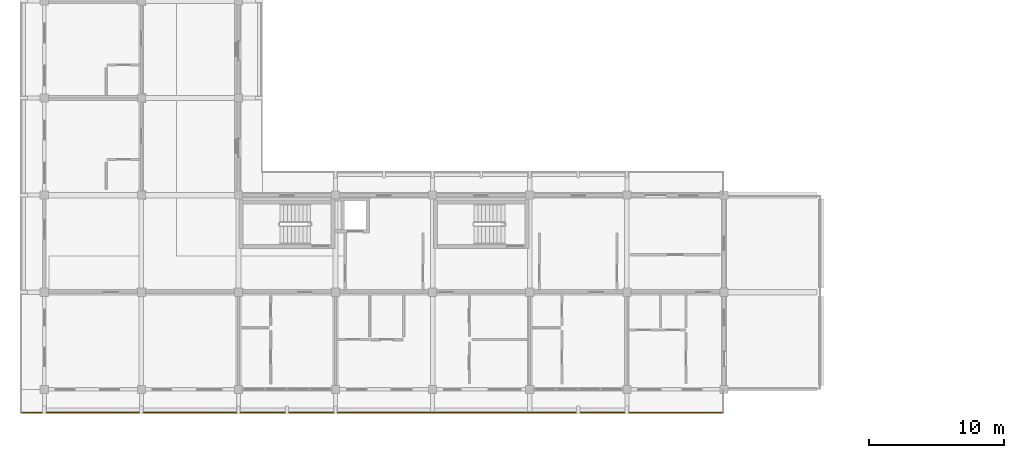
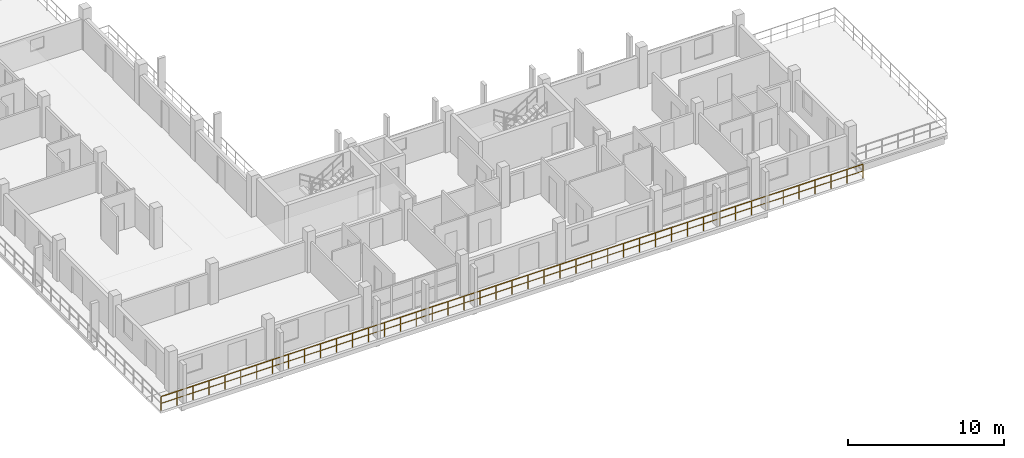
# One storey, part 63 of 78: 1 railing.
"""IFC4 building model written with IfcOpenShell, lengths in metres."""

from ifc_helpers import new_model, si_unit, direction, frame, origin, origin_2d, place, context, subcontext, project, spatial, rectangle, extrude, material, type_object, element, save


model = new_model("IFC4")

# Units and contexts
model_context = context("Model", 3, precision=1e-05, world=origin(), true_north=direction((0.0, 1.0)))
body_context = subcontext(model_context, "Body", "Model", "MODEL_VIEW")
ifc_project = project(units=[si_unit("LENGTHUNIT", "METRE"), si_unit("AREAUNIT", "SQUARE_METRE"), si_unit("VOLUMEUNIT", "CUBIC_METRE"), si_unit("PLANEANGLEUNIT", "RADIAN"), si_unit("MASSUNIT", "GRAM", prefix="KILO")], contexts=[model_context])

# Site, building, storey
site_placement = place(None, origin())
site = spatial("IfcSite", under=ifc_project, at=site_placement, CompositionType="ELEMENT")
building_placement = place(site_placement, origin())
building = spatial("IfcBuilding", under=site, at=building_placement, Name="Suanplinth Sawtooth Commons", CompositionType="ELEMENT")
storey_placement = place(building_placement, frame((0.0, 0.0, 15.39990234375)))
storey = spatial("IfcBuildingStorey", under=building, at=storey_placement, Name="L04", CompositionType="ELEMENT", Elevation=15.39990234375)

# Railing
ifc_material = material(Name="Powder-coated galvanized steel", Category="steel")
railing_type = type_object("IfcRailingType", Name="GR-01", PredefinedType="BALUSTRADE", material=ifc_material)
railing_placement = place(storey_placement, frame((50.340087890625, -1.739990234375, 0.0)))
element("IfcRailing", 1, at=railing_placement, inside=storey, type_object=railing_type, Name="L04 Block D Perimeter Balustrade 14", PredefinedType="BALUSTRADE", context=body_context, shape_type="SweptSolid", body=[
    extrude(rectangle(XDim=0.048095703125, YDim=0.048095703125, at=origin_2d()), frame((0.0, 0.0, 1.09619140625), z_axis=(-1.0, 0.0, 0.0), x_axis=(0.0, -1.0, 0.0)), (0.0, 0.0, 1.0), 52.080078125),
    extrude(rectangle(XDim=0.03369140625, YDim=0.03369140625, at=origin_2d()), frame((0.0, 0.0, 0.56005859375), z_axis=(-1.0, 0.0, 0.0), x_axis=(0.0, -1.0, 0.0)), (0.0, 0.0, 1.0), 52.080078125),
    extrude(rectangle(XDim=0.0419921875, YDim=0.0419921875, at=origin_2d()), origin(), (0.0, 0.0, 1.0), 1.072021484375),
    extrude(rectangle(XDim=0.0419921875, YDim=0.0419921875, at=origin_2d()), frame((-1.18359375, 0.0, 0.0)), (0.0, 0.0, 1.0), 1.072021484375),
    extrude(rectangle(XDim=0.0419921875, YDim=0.0419921875, at=origin_2d()), frame((-2.3671875, 0.0, 0.0)), (0.0, 0.0, 1.0), 1.072021484375),
    extrude(rectangle(XDim=0.0419921875, YDim=0.0419921875, at=origin_2d()), frame((-3.551025390625, 0.0, 0.0)), (0.0, 0.0, 1.0), 1.072021484375),
    extrude(rectangle(XDim=0.0419921875, YDim=0.0419921875, at=origin_2d()), frame((-4.734619140625, 0.0, 0.0)), (0.0, 0.0, 1.0), 1.072021484375),
    extrude(rectangle(XDim=0.0419921875, YDim=0.0419921875, at=origin_2d()), frame((-5.918212890625, 0.0, 0.0)), (0.0, 0.0, 1.0), 1.072021484375),
    extrude(rectangle(XDim=0.0419921875, YDim=0.0419921875, at=origin_2d()), frame((-7.101806640625, 0.0, 0.0)), (0.0, 0.0, 1.0), 1.072021484375),
    extrude(rectangle(XDim=0.0419921875, YDim=0.0419921875, at=origin_2d()), frame((-8.285400390625, 0.0, 0.0)), (0.0, 0.0, 1.0), 1.072021484375),
    extrude(rectangle(XDim=0.0419921875, YDim=0.0419921875, at=origin_2d()), frame((-9.468994140625, 0.0, 0.0)), (0.0, 0.0, 1.0), 1.072021484375),
    extrude(rectangle(XDim=0.0419921875, YDim=0.0419921875, at=origin_2d()), frame((-10.65283203125, 0.0, 0.0)), (0.0, 0.0, 1.0), 1.072021484375),
    extrude(rectangle(XDim=0.0419921875, YDim=0.0419921875, at=origin_2d()), frame((-11.83642578125, 0.0, 0.0)), (0.0, 0.0, 1.0), 1.072021484375),
    extrude(rectangle(XDim=0.0419921875, YDim=0.0419921875, at=origin_2d()), frame((-13.02001953125, 0.0, 0.0)), (0.0, 0.0, 1.0), 1.072021484375),
    extrude(rectangle(XDim=0.0419921875, YDim=0.0419921875, at=origin_2d()), frame((-14.20361328125, 0.0, 0.0)), (0.0, 0.0, 1.0), 1.072021484375),
    extrude(rectangle(XDim=0.0419921875, YDim=0.0419921875, at=origin_2d()), frame((-15.38720703125, 0.0, 0.0)), (0.0, 0.0, 1.0), 1.072021484375),
    extrude(rectangle(XDim=0.0419921875, YDim=0.0419921875, at=origin_2d()), frame((-16.571044921875, 0.0, 0.0)), (0.0, 0.0, 1.0), 1.072021484375),
    extrude(rectangle(XDim=0.0419921875, YDim=0.0419921875, at=origin_2d()), frame((-17.754638671875, 0.0, 0.0)), (0.0, 0.0, 1.0), 1.072021484375),
    extrude(rectangle(XDim=0.0419921875, YDim=0.0419921875, at=origin_2d()), frame((-18.938232421875, 0.0, 0.0)), (0.0, 0.0, 1.0), 1.072021484375),
    extrude(rectangle(XDim=0.0419921875, YDim=0.0419921875, at=origin_2d()), frame((-20.121826171875, 0.0, 0.0)), (0.0, 0.0, 1.0), 1.072021484375),
    extrude(rectangle(XDim=0.0419921875, YDim=0.0419921875, at=origin_2d()), frame((-21.305419921875, 0.0, 0.0)), (0.0, 0.0, 1.0), 1.072021484375),
    extrude(rectangle(XDim=0.0419921875, YDim=0.0419921875, at=origin_2d()), frame((-22.489013671875, 0.0, 0.0)), (0.0, 0.0, 1.0), 1.072021484375),
    extrude(rectangle(XDim=0.0419921875, YDim=0.0419921875, at=origin_2d()), frame((-23.6728515625, 0.0, 0.0)), (0.0, 0.0, 1.0), 1.072021484375),
    extrude(rectangle(XDim=0.0419921875, YDim=0.0419921875, at=origin_2d()), frame((-24.8564453125, 0.0, 0.0)), (0.0, 0.0, 1.0), 1.072021484375),
    extrude(rectangle(XDim=0.0419921875, YDim=0.0419921875, at=origin_2d()), frame((-26.0400390625, 0.0, 0.0)), (0.0, 0.0, 1.0), 1.072021484375),
    extrude(rectangle(XDim=0.0419921875, YDim=0.0419921875, at=origin_2d()), frame((-27.2236328125, 0.0, 0.0)), (0.0, 0.0, 1.0), 1.072021484375),
    extrude(rectangle(XDim=0.0419921875, YDim=0.0419921875, at=origin_2d()), frame((-28.4072265625, 0.0, 0.0)), (0.0, 0.0, 1.0), 1.072021484375),
    extrude(rectangle(XDim=0.0419921875, YDim=0.0419921875, at=origin_2d()), frame((-29.591064453125, 0.0, 0.0)), (0.0, 0.0, 1.0), 1.072021484375),
    extrude(rectangle(XDim=0.0419921875, YDim=0.0419921875, at=origin_2d()), frame((-30.774658203125, 0.0, 0.0)), (0.0, 0.0, 1.0), 1.072021484375),
    extrude(rectangle(XDim=0.0419921875, YDim=0.0419921875, at=origin_2d()), frame((-31.958251953125, 0.0, 0.0)), (0.0, 0.0, 1.0), 1.072021484375),
    extrude(rectangle(XDim=0.0419921875, YDim=0.0419921875, at=origin_2d()), frame((-33.141845703125, 0.0, 0.0)), (0.0, 0.0, 1.0), 1.072021484375),
    extrude(rectangle(XDim=0.0419921875, YDim=0.0419921875, at=origin_2d()), frame((-34.325439453125, 0.0, 0.0)), (0.0, 0.0, 1.0), 1.072021484375),
    extrude(rectangle(XDim=0.0419921875, YDim=0.0419921875, at=origin_2d()), frame((-35.509033203125, 0.0, 0.0)), (0.0, 0.0, 1.0), 1.072021484375),
    extrude(rectangle(XDim=0.0419921875, YDim=0.0419921875, at=origin_2d()), frame((-36.69287109375, 0.0, 0.0)), (0.0, 0.0, 1.0), 1.072021484375),
    extrude(rectangle(XDim=0.0419921875, YDim=0.0419921875, at=origin_2d()), frame((-37.87646484375, 0.0, 0.0)), (0.0, 0.0, 1.0), 1.072021484375),
    extrude(rectangle(XDim=0.0419921875, YDim=0.0419921875, at=origin_2d()), frame((-39.06005859375, 0.0, 0.0)), (0.0, 0.0, 1.0), 1.072021484375),
    extrude(rectangle(XDim=0.0419921875, YDim=0.0419921875, at=origin_2d()), frame((-40.24365234375, 0.0, 0.0)), (0.0, 0.0, 1.0), 1.072021484375),
    extrude(rectangle(XDim=0.0419921875, YDim=0.0419921875, at=origin_2d()), frame((-41.42724609375, 0.0, 0.0)), (0.0, 0.0, 1.0), 1.072021484375),
    extrude(rectangle(XDim=0.0419921875, YDim=0.0419921875, at=origin_2d()), frame((-42.611083984375, 0.0, 0.0)), (0.0, 0.0, 1.0), 1.072021484375),
    extrude(rectangle(XDim=0.0419921875, YDim=0.0419921875, at=origin_2d()), frame((-43.794677734375, 0.0, 0.0)), (0.0, 0.0, 1.0), 1.072021484375),
    extrude(rectangle(XDim=0.0419921875, YDim=0.0419921875, at=origin_2d()), frame((-44.978271484375, 0.0, 0.0)), (0.0, 0.0, 1.0), 1.072021484375),
    extrude(rectangle(XDim=0.0419921875, YDim=0.0419921875, at=origin_2d()), frame((-46.161865234375, 0.0, 0.0)), (0.0, 0.0, 1.0), 1.072021484375),
    extrude(rectangle(XDim=0.0419921875, YDim=0.0419921875, at=origin_2d()), frame((-47.345458984375, 0.0, 0.0)), (0.0, 0.0, 1.0), 1.072021484375),
    extrude(rectangle(XDim=0.0419921875, YDim=0.0419921875, at=origin_2d()), frame((-48.529052734375, 0.0, 0.0)), (0.0, 0.0, 1.0), 1.072021484375),
    extrude(rectangle(XDim=0.0419921875, YDim=0.0419921875, at=origin_2d()), frame((-49.712890625, 0.0, 0.0)), (0.0, 0.0, 1.0), 1.072021484375),
    extrude(rectangle(XDim=0.0419921875, YDim=0.0419921875, at=origin_2d()), frame((-50.896484375, 0.0, 0.0)), (0.0, 0.0, 1.0), 1.072021484375),
    extrude(rectangle(XDim=0.0419921875, YDim=0.0419921875, at=origin_2d()), frame((-52.080078125, 0.0, 0.0)), (0.0, 0.0, 1.0), 1.072021484375),
])

save(model, "model.ifc")
